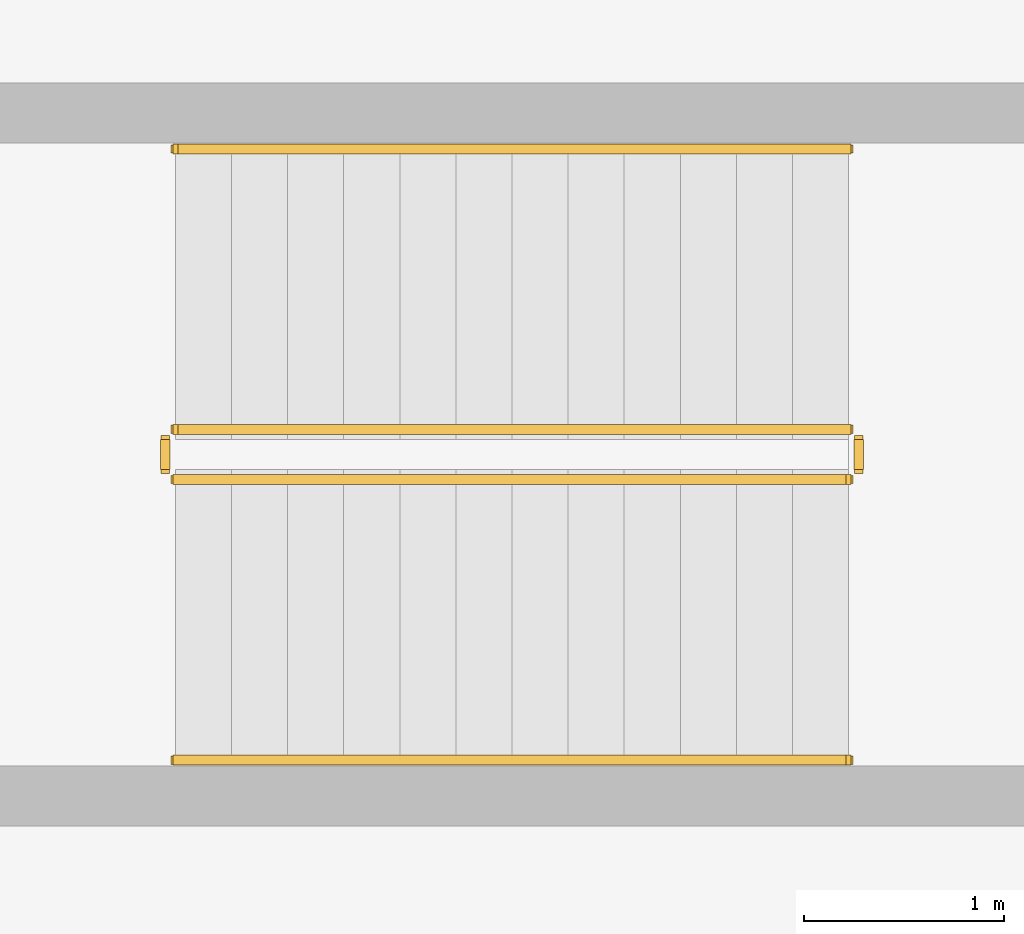
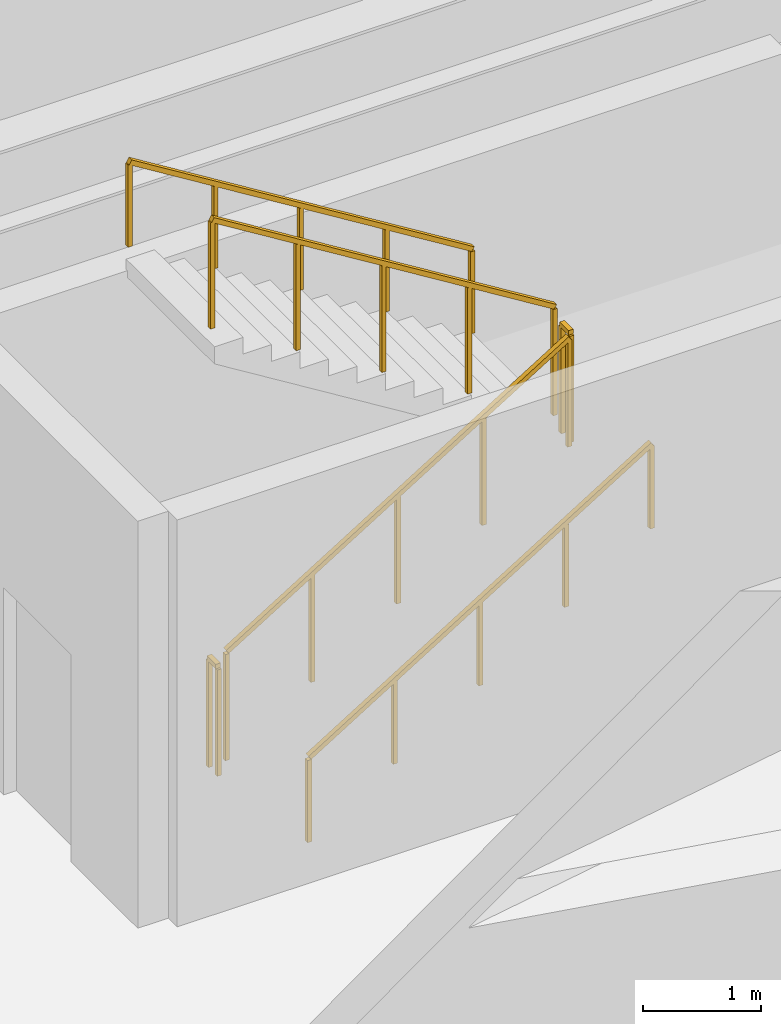
# One storey, part 7 of 10: 6 railings.
"""IFC4 building model written with IfcOpenShell, lengths in metres."""

import ifcopenshell
import ifcopenshell.guid

model = None  # the IFC model being written
_history = None  # IfcOwnerHistory: only IFC2X3 demands one
_inside = {}  # id of a spatial element -> (the spatial element, [elements in it])
_under = {}  # id of a project, library or spatial element -> (it, [spatial elements below it])
_declared = {}  # id of a project -> (the project, [libraries it declares])
_typed = {}  # id of a type object -> (the type object, [elements of that type])
_made_of = {}  # id of a material, layer set ... -> (it, [elements and type objects made of it])


def new_model(schema):
    """Start an empty IFC model of exactly this schema.

    Asked for "IFC4X3", IfcOpenShell would pick the latest addendum, in which some entities
    have other attributes; the version numbers below select the first issue.
    IFC2X3 requires an IfcOwnerHistory on every rooted entity: one is made here for all.
    """
    global model, _history
    if schema == "IFC4X3":
        model = ifcopenshell.file(schema_version=(4, 3, 0, 0))
    else:
        model = ifcopenshell.file(schema=schema)
    _inside.clear()
    _under.clear()
    _declared.clear()
    _typed.clear()
    _made_of.clear()
    _history = None
    if model.schema == "IFC2X3":
        org = make("IfcOrganization", Name="unknown")
        user = make(
            "IfcPersonAndOrganization",
            ThePerson=make("IfcPerson", FamilyName="unknown"),
            TheOrganization=org,
        )
        app = make(
            "IfcApplication",
            ApplicationDeveloper=org,
            Version="unknown",
            ApplicationFullName="unknown",
            ApplicationIdentifier="unknown",
        )
        _history = make(
            "IfcOwnerHistory",
            OwningUser=user,
            OwningApplication=app,
            ChangeAction="ADDED",
            CreationDate=0,
        )
    return model


def make(cls, **values):
    """One entity of the class cls with the attributes given. An attribute that is None is left unset."""
    return model.create_entity(
        cls, **{name: value for name, value in values.items() if value is not None}
    )


def rooted(cls, **values):
    """An entity with a GlobalId (a new one), such as an element, a storey or a relation."""
    return make(cls, GlobalId=ifcopenshell.guid.new(), OwnerHistory=_history, **values)


def si_unit(unit_type, name, prefix=None):
    """IfcSIUnit, for example si_unit("LENGTHUNIT", "METRE", prefix="MILLI")."""
    return make("IfcSIUnit", UnitType=unit_type, Prefix=prefix, Name=name)


def assignment(units):
    """IfcUnitAssignment: the units of a project."""
    return None if units is None else make("IfcUnitAssignment", Units=units)


def point(xyz):
    """IfcCartesianPoint."""
    return None if xyz is None else make("IfcCartesianPoint", Coordinates=xyz)


def direction(xyz):
    """IfcDirection."""
    return None if xyz is None else make("IfcDirection", DirectionRatios=xyz)


def frame(location, z_axis=None, x_axis=None):
    """IfcAxis2Placement3D, a coordinate frame: its origin and axes. An axis left out is left unset."""
    return make(
        "IfcAxis2Placement3D",
        Location=point(location),
        Axis=direction(z_axis),
        RefDirection=direction(x_axis),
    )


def frame_2d(location, x_axis=None):
    """IfcAxis2Placement2D, a coordinate frame in the plane: its origin and x axis."""
    return make(
        "IfcAxis2Placement2D", Location=point(location), RefDirection=direction(x_axis)
    )


def origin():
    """The frame at (0, 0, 0) with its axes left unset."""
    return frame((0.0, 0.0, 0.0))


def origin_2d():
    """The frame at (0, 0) in the plane with its x axis left unset."""
    return frame_2d((0.0, 0.0))


def place(relative_to, where):
    """IfcLocalPlacement: puts the frame where relative to a parent placement (None: the world)."""
    return make(
        "IfcLocalPlacement", PlacementRelTo=relative_to, RelativePlacement=where
    )


def context(
    kind, dimensions, precision=None, world=None, true_north=None, identifier=None
):
    """IfcGeometricRepresentationContext, for example the 3D "Model" context."""
    return make(
        "IfcGeometricRepresentationContext",
        ContextIdentifier=identifier,
        ContextType=kind,
        CoordinateSpaceDimension=dimensions,
        Precision=precision,
        WorldCoordinateSystem=world,
        TrueNorth=true_north,
    )


def subcontext(parent, identifier, kind, view, scale=None):
    """IfcGeometricRepresentationSubContext, for example "Body" below "Model"."""
    return make(
        "IfcGeometricRepresentationSubContext",
        ContextIdentifier=identifier,
        ContextType=kind,
        ParentContext=parent,
        TargetScale=scale,
        TargetView=view,
    )


def project(units=None, contexts=None):
    """IfcProject with its units and contexts."""
    return rooted(
        "IfcProject",
        Name="project",
        RepresentationContexts=contexts,
        UnitsInContext=assignment(units),
    )


def spatial(cls, under=None, at=None, **own):
    """A site, building, storey or space (cls), placed at a placement, below another one or the project."""
    s = rooted(cls, ObjectPlacement=at, **own)
    if under is not None:
        _under.setdefault(under.id(), (under, []))[1].append(s)
    return s


def profile(cls, at=None, kind="AREA", **sizes):
    """A parametric profile (cls). Its sizes go by their IFC names, for example OverallWidth=200.0."""
    return make(cls, ProfileType=kind, Position=at, **sizes)


def rectangle(**sizes):
    """IfcRectangleProfileDef."""
    return profile("IfcRectangleProfileDef", **sizes)


def extrude(swept, where, along, depth):
    """IfcExtrudedAreaSolid: the profile swept, set in the frame where, extruded along a direction by depth."""
    return make(
        "IfcExtrudedAreaSolid",
        SweptArea=swept,
        Position=where,
        ExtrudedDirection=direction(along),
        Depth=depth,
    )


def shape(context_of_items, identifier, shape_type, items):
    """IfcShapeRepresentation: the items that make up one representation, for example the "Body"."""
    return make(
        "IfcShapeRepresentation",
        ContextOfItems=context_of_items,
        RepresentationIdentifier=identifier,
        RepresentationType=shape_type,
        Items=items,
    )


def material(Name=None, Category=None):
    """IfcMaterial."""
    return make("IfcMaterial", Name=Name, Category=Category)


def made_of(thing, what):
    """Note that an element or type object is made of a material, layer set ...; save() writes the relation."""
    if what is not None:
        _made_of.setdefault(what.id(), (what, []))[1].append(thing)
    return thing


def type_object(cls, material=None, **own):
    """A type object (cls), such as IfcWallType, which elements share."""
    return made_of(rooted(cls, **own), material)


def element(
    cls,
    number,
    at=None,
    inside=None,
    cuts=None,
    type_object=None,
    material=None,
    context=None,
    identifier="Body",
    shape_type=None,
    held_by="IfcProductDefinitionShape",
    body=None,
    shapes=None,
    **own,
):
    """One element of the class cls, such as IfcWall. Its Tag is "e" and its number.

    at: its placement. inside: the storey or other place that contains it. cuts: it is an
    opening in that element (IfcRelVoidsElement). A single representation is given by context,
    identifier, shape_type and body (its items); several are given by shapes. held_by: the class
    of the entity that holds the representations. save() writes the other relations.
    """
    e = rooted(cls, Tag="e%d" % number, ObjectPlacement=at, **own)
    if body is not None:
        shapes = [shape(context, identifier, shape_type, body)]
    if shapes is not None:
        e.Representation = make(held_by, Representations=shapes)
    if inside is not None:
        _inside.setdefault(inside.id(), (inside, []))[1].append(e)
    if cuts is not None:
        rooted(
            "IfcRelVoidsElement", RelatingBuildingElement=cuts, RelatedOpeningElement=e
        )
    if type_object is not None:
        _typed.setdefault(type_object.id(), (type_object, []))[1].append(e)
    return made_of(e, material)


def aggregate(whole, parts):
    """IfcRelAggregates: a whole, such as a stair, and the parts it consists of."""
    return rooted("IfcRelAggregates", RelatingObject=whole, RelatedObjects=parts)


def save(model, path):
    """Write the relations noted so far, then the file.

    IfcRelAggregates (storeys below a building ...), IfcRelContainedInSpatialStructure (elements
    in a storey), IfcRelDefinesByType, IfcRelAssociatesMaterial and IfcRelDeclares: one each for
    every whole, place, type object, material and project.
    """
    for whole, parts in _under.values():
        aggregate(whole, parts)
    for where, things in _inside.values():
        rooted(
            "IfcRelContainedInSpatialStructure",
            RelatedElements=things,
            RelatingStructure=where,
        )
    for kind, things in _typed.values():
        rooted("IfcRelDefinesByType", RelatedObjects=things, RelatingType=kind)
    for what, things in _made_of.values():
        rooted("IfcRelAssociatesMaterial", RelatedObjects=things, RelatingMaterial=what)
    for by, libraries in _declared.values():
        rooted("IfcRelDeclares", RelatingContext=by, RelatedDefinitions=libraries)
    model.write(path)


model = new_model("IFC4")

# Units and contexts
model_context = context("Model", 3, precision=1e-05, world=origin(), true_north=direction((0.0, 1.0)))
body_context = subcontext(model_context, "Body", "Model", "MODEL_VIEW")
ifc_project = project(units=[si_unit("LENGTHUNIT", "METRE"), si_unit("AREAUNIT", "SQUARE_METRE"), si_unit("VOLUMEUNIT", "CUBIC_METRE"), si_unit("PLANEANGLEUNIT", "RADIAN"), si_unit("MASSUNIT", "GRAM", prefix="KILO")], contexts=[model_context])

# Site, building, storey
site_placement = place(None, origin())
site = spatial("IfcSite", under=ifc_project, at=site_placement, CompositionType="ELEMENT")
building_placement = place(site_placement, origin())
building = spatial("IfcBuilding", under=site, at=building_placement, Name="Mawjaban Terraces University", CompositionType="ELEMENT")
storey_placement = place(building_placement, frame((0.0, 0.0, -9.0)))
storey = spatial("IfcBuildingStorey", under=building, at=storey_placement, Name="B2", CompositionType="ELEMENT", Elevation=-9.0)

# Railings
ifc_material_1 = material(Name="Brushed stainless steel 316", Category="steel")
railing_type_1 = type_object("IfcRailingType", Name="StairWallHandrail_900", PredefinedType="HANDRAIL", material=ifc_material_1)
railing_1_placement = place(storey_placement, frame((60.10009765625, 24.64990234375, 0.173095703125)))
element("IfcRailing", 1, at=railing_1_placement, inside=storey, type_object=railing_type_1, Name="B2 ST-5 stair handrail 1", PredefinedType="HANDRAIL", context=body_context, shape_type="SweptSolid", body=[
    extrude(rectangle(XDim=0.048095703125, YDim=0.048095703125, at=origin_2d()), frame((0.0, 0.0, 0.8759765625), z_axis=(0.850606129759, 0.0, 0.525803396734), x_axis=(0.0, 1.0, 0.0)), (0.0, 0.0, 1.0), 3.949951171875),
    extrude(rectangle(XDim=0.0419921875, YDim=0.0419921875, at=origin_2d()), origin(), (0.0, 0.0, 1.0), 0.851806640625),
    extrude(rectangle(XDim=0.0419921875, YDim=0.0419921875, at=origin_2d()), frame((0.83984375, 0.0, 0.519287109375)), (0.0, 0.0, 1.0), 0.851806640625),
    extrude(rectangle(XDim=0.0419921875, YDim=0.0419921875, at=origin_2d()), frame((1.679931640625, 0.0, 1.03857421875)), (0.0, 0.0, 1.0), 0.851806640625),
    extrude(rectangle(XDim=0.0419921875, YDim=0.0419921875, at=origin_2d()), frame((2.52001953125, 0.0, 1.5576171875)), (0.0, 0.0, 1.0), 0.851806640625),
    extrude(rectangle(XDim=0.0419921875, YDim=0.0419921875, at=origin_2d()), frame((3.35986328125, 0.0, 2.076904296875)), (0.0, 0.0, 1.0), 0.851806640625),
])
railing_2_placement = place(storey_placement, frame((63.4599609375, 27.699951171875, 2.423095703125)))
element("IfcRailing", 2, at=railing_2_placement, inside=storey, type_object=railing_type_1, Name="B2 ST-5 stair handrail 2", PredefinedType="HANDRAIL", context=body_context, shape_type="SweptSolid", body=[
    extrude(rectangle(XDim=0.048095703125, YDim=0.048095703125, at=origin_2d()), frame((0.0, 0.0, 0.8759765625), z_axis=(-0.850606129759, 0.0, 0.525803396734), x_axis=(0.0, -1.0, 0.0)), (0.0, 0.0, 1.0), 3.949951171875),
    extrude(rectangle(XDim=0.0419921875, YDim=0.0419921875, at=origin_2d()), origin(), (0.0, 0.0, 1.0), 0.851806640625),
    extrude(rectangle(XDim=0.0419921875, YDim=0.0419921875, at=origin_2d()), frame((-0.83984375, 0.0, 0.519287109375)), (0.0, 0.0, 1.0), 0.851806640625),
    extrude(rectangle(XDim=0.0419921875, YDim=0.0419921875, at=origin_2d()), frame((-1.679931640625, 0.0, 1.03857421875)), (0.0, 0.0, 1.0), 0.851806640625),
    extrude(rectangle(XDim=0.0419921875, YDim=0.0419921875, at=origin_2d()), frame((-2.52001953125, 0.0, 1.5576171875)), (0.0, 0.0, 1.0), 0.851806640625),
    extrude(rectangle(XDim=0.0419921875, YDim=0.0419921875, at=origin_2d()), frame((-3.35986328125, 0.0, 2.076904296875)), (0.0, 0.0, 1.0), 0.851806640625),
])
ifc_material_2 = material(Name="Galvanised painted steel S355", Category="steel")
railing_type_2 = type_object("IfcRailingType", Name="StairWellGuard_1150", PredefinedType="BALUSTRADE", material=ifc_material_2)
railing_3_placement = place(storey_placement, frame((60.10009765625, 26.050048828125, 0.173095703125)))
element("IfcRailing", 3, at=railing_3_placement, inside=storey, type_object=railing_type_2, Name="B2 ST-5 stair guard 1", PredefinedType="BALUSTRADE", context=body_context, shape_type="SweptSolid", body=[
    extrude(rectangle(XDim=0.048095703125, YDim=0.048095703125, at=origin_2d()), frame((0.0, 0.0, 1.1259765625), z_axis=(0.850606129759, 0.0, 0.525803396734), x_axis=(0.0, 1.0, 0.0)), (0.0, 0.0, 1.0), 3.949951171875),
    extrude(rectangle(XDim=0.0419921875, YDim=0.0419921875, at=origin_2d()), origin(), (0.0, 0.0, 1.0), 1.101806640625),
    extrude(rectangle(XDim=0.0419921875, YDim=0.0419921875, at=origin_2d()), frame((0.83984375, 0.0, 0.519287109375)), (0.0, 0.0, 1.0), 1.101806640625),
    extrude(rectangle(XDim=0.0419921875, YDim=0.0419921875, at=origin_2d()), frame((1.679931640625, 0.0, 1.03857421875)), (0.0, 0.0, 1.0), 1.101806640625),
    extrude(rectangle(XDim=0.0419921875, YDim=0.0419921875, at=origin_2d()), frame((2.52001953125, 0.0, 1.5576171875)), (0.0, 0.0, 1.0), 1.101806640625),
    extrude(rectangle(XDim=0.0419921875, YDim=0.0419921875, at=origin_2d()), frame((3.35986328125, 0.0, 2.076904296875)), (0.0, 0.0, 1.0), 1.101806640625),
])
railing_4_placement = place(storey_placement, frame((63.510009765625, 26.10009765625, 2.25)))
element("IfcRailing", 4, at=railing_4_placement, inside=storey, type_object=railing_type_2, Name="B2 ST-5 stair guard 2", PredefinedType="BALUSTRADE", context=body_context, shape_type="SweptSolid", body=[
    extrude(rectangle(XDim=0.048095703125, YDim=0.048095703125, at=origin_2d()), frame((0.0, 0.0, 1.1259765625), z_axis=(0.0, 1.0, 0.0), x_axis=(-1.0, 0.0, 0.0)), (0.0, 0.0, 1.0), 0.14990234375),
    extrude(rectangle(XDim=0.0419921875, YDim=0.0419921875, at=origin_2d()), origin(), (0.0, 0.0, 1.0), 1.101806640625),
    extrude(rectangle(XDim=0.0419921875, YDim=0.0419921875, at=origin_2d()), frame((0.0, 0.14990234375, 0.0)), (0.0, 0.0, 1.0), 1.101806640625),
])
railing_5_placement = place(storey_placement, frame((63.4599609375, 26.300048828125, 2.423095703125)))
element("IfcRailing", 5, at=railing_5_placement, inside=storey, type_object=railing_type_2, Name="B2 ST-5 stair guard 3", PredefinedType="BALUSTRADE", context=body_context, shape_type="SweptSolid", body=[
    extrude(rectangle(XDim=0.048095703125, YDim=0.048095703125, at=origin_2d()), frame((0.0, 0.0, 1.1259765625), z_axis=(-0.850606129759, 0.0, 0.525803396734), x_axis=(0.0, -1.0, 0.0)), (0.0, 0.0, 1.0), 3.949951171875),
    extrude(rectangle(XDim=0.0419921875, YDim=0.0419921875, at=origin_2d()), origin(), (0.0, 0.0, 1.0), 1.101806640625),
    extrude(rectangle(XDim=0.0419921875, YDim=0.0419921875, at=origin_2d()), frame((-0.83984375, 0.0, 0.519287109375)), (0.0, 0.0, 1.0), 1.101806640625),
    extrude(rectangle(XDim=0.0419921875, YDim=0.0419921875, at=origin_2d()), frame((-1.679931640625, 0.0, 1.03857421875)), (0.0, 0.0, 1.0), 1.101806640625),
    extrude(rectangle(XDim=0.0419921875, YDim=0.0419921875, at=origin_2d()), frame((-2.52001953125, 0.0, 1.5576171875)), (0.0, 0.0, 1.0), 1.101806640625),
    extrude(rectangle(XDim=0.0419921875, YDim=0.0419921875, at=origin_2d()), frame((-3.35986328125, 0.0, 2.076904296875)), (0.0, 0.0, 1.0), 1.101806640625),
])
railing_6_placement = place(storey_placement, frame((60.050048828125, 26.10009765625, 0.0)))
element("IfcRailing", 6, at=railing_6_placement, inside=storey, type_object=railing_type_2, Name="B2 ST-5 stair guard 4", PredefinedType="BALUSTRADE", context=body_context, shape_type="SweptSolid", body=[
    extrude(rectangle(XDim=0.048095703125, YDim=0.048095703125, at=origin_2d()), frame((0.0, 0.0, 1.1259765625), z_axis=(0.0, 1.0, 0.0), x_axis=(-1.0, 0.0, 0.0)), (0.0, 0.0, 1.0), 0.14990234375),
    extrude(rectangle(XDim=0.0419921875, YDim=0.0419921875, at=origin_2d()), origin(), (0.0, 0.0, 1.0), 1.101806640625),
    extrude(rectangle(XDim=0.0419921875, YDim=0.0419921875, at=origin_2d()), frame((0.0, 0.14990234375, 0.0)), (0.0, 0.0, 1.0), 1.101806640625),
])

save(model, "model.ifc")
